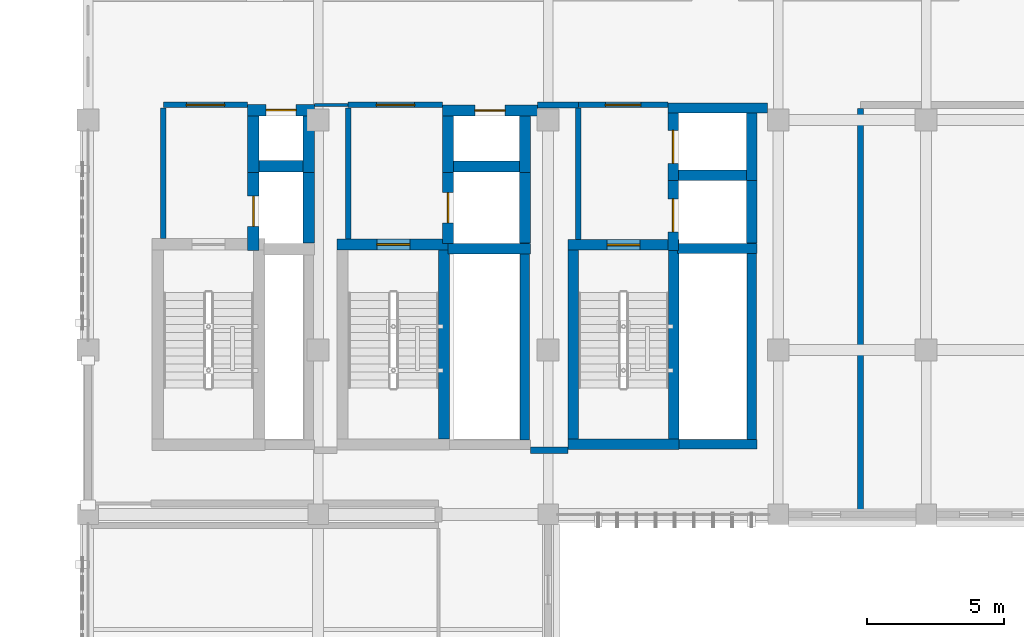
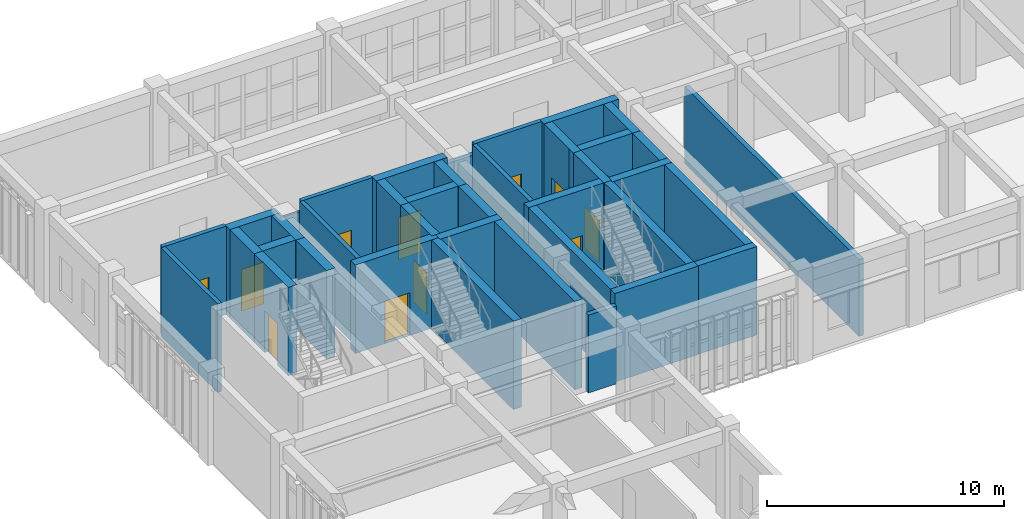
# One storey, part 72 of 76: 39 walls, 11 doors, 11 openings.
"""IFC4 building model written with IfcOpenShell, lengths in metres."""

import ifcopenshell
import ifcopenshell.guid

model = None  # the IFC model being written
_history = None  # IfcOwnerHistory: only IFC2X3 demands one
_inside = {}  # id of a spatial element -> (the spatial element, [elements in it])
_under = {}  # id of a project, library or spatial element -> (it, [spatial elements below it])
_declared = {}  # id of a project -> (the project, [libraries it declares])
_typed = {}  # id of a type object -> (the type object, [elements of that type])
_made_of = {}  # id of a material, layer set ... -> (it, [elements and type objects made of it])


def new_model(schema):
    """Start an empty IFC model of exactly this schema.

    Asked for "IFC4X3", IfcOpenShell would pick the latest addendum, in which some entities
    have other attributes; the version numbers below select the first issue.
    IFC2X3 requires an IfcOwnerHistory on every rooted entity: one is made here for all.
    """
    global model, _history
    if schema == "IFC4X3":
        model = ifcopenshell.file(schema_version=(4, 3, 0, 0))
    else:
        model = ifcopenshell.file(schema=schema)
    _inside.clear()
    _under.clear()
    _declared.clear()
    _typed.clear()
    _made_of.clear()
    _history = None
    if model.schema == "IFC2X3":
        org = make("IfcOrganization", Name="unknown")
        user = make(
            "IfcPersonAndOrganization",
            ThePerson=make("IfcPerson", FamilyName="unknown"),
            TheOrganization=org,
        )
        app = make(
            "IfcApplication",
            ApplicationDeveloper=org,
            Version="unknown",
            ApplicationFullName="unknown",
            ApplicationIdentifier="unknown",
        )
        _history = make(
            "IfcOwnerHistory",
            OwningUser=user,
            OwningApplication=app,
            ChangeAction="ADDED",
            CreationDate=0,
        )
    return model


def make(cls, **values):
    """One entity of the class cls with the attributes given. An attribute that is None is left unset."""
    return model.create_entity(
        cls, **{name: value for name, value in values.items() if value is not None}
    )


def rooted(cls, **values):
    """An entity with a GlobalId (a new one), such as an element, a storey or a relation."""
    return make(cls, GlobalId=ifcopenshell.guid.new(), OwnerHistory=_history, **values)


def si_unit(unit_type, name, prefix=None):
    """IfcSIUnit, for example si_unit("LENGTHUNIT", "METRE", prefix="MILLI")."""
    return make("IfcSIUnit", UnitType=unit_type, Prefix=prefix, Name=name)


def assignment(units):
    """IfcUnitAssignment: the units of a project."""
    return None if units is None else make("IfcUnitAssignment", Units=units)


def point(xyz):
    """IfcCartesianPoint."""
    return None if xyz is None else make("IfcCartesianPoint", Coordinates=xyz)


def direction(xyz):
    """IfcDirection."""
    return None if xyz is None else make("IfcDirection", DirectionRatios=xyz)


def frame(location, z_axis=None, x_axis=None):
    """IfcAxis2Placement3D, a coordinate frame: its origin and axes. An axis left out is left unset."""
    return make(
        "IfcAxis2Placement3D",
        Location=point(location),
        Axis=direction(z_axis),
        RefDirection=direction(x_axis),
    )


def frame_2d(location, x_axis=None):
    """IfcAxis2Placement2D, a coordinate frame in the plane: its origin and x axis."""
    return make(
        "IfcAxis2Placement2D", Location=point(location), RefDirection=direction(x_axis)
    )


def origin():
    """The frame at (0, 0, 0) with its axes left unset."""
    return frame((0.0, 0.0, 0.0))


def place(relative_to, where):
    """IfcLocalPlacement: puts the frame where relative to a parent placement (None: the world)."""
    return make(
        "IfcLocalPlacement", PlacementRelTo=relative_to, RelativePlacement=where
    )


def context(
    kind, dimensions, precision=None, world=None, true_north=None, identifier=None
):
    """IfcGeometricRepresentationContext, for example the 3D "Model" context."""
    return make(
        "IfcGeometricRepresentationContext",
        ContextIdentifier=identifier,
        ContextType=kind,
        CoordinateSpaceDimension=dimensions,
        Precision=precision,
        WorldCoordinateSystem=world,
        TrueNorth=true_north,
    )


def subcontext(parent, identifier, kind, view, scale=None):
    """IfcGeometricRepresentationSubContext, for example "Body" below "Model"."""
    return make(
        "IfcGeometricRepresentationSubContext",
        ContextIdentifier=identifier,
        ContextType=kind,
        ParentContext=parent,
        TargetScale=scale,
        TargetView=view,
    )


def project(units=None, contexts=None):
    """IfcProject with its units and contexts."""
    return rooted(
        "IfcProject",
        Name="project",
        RepresentationContexts=contexts,
        UnitsInContext=assignment(units),
    )


def spatial(cls, under=None, at=None, **own):
    """A site, building, storey or space (cls), placed at a placement, below another one or the project."""
    s = rooted(cls, ObjectPlacement=at, **own)
    if under is not None:
        _under.setdefault(under.id(), (under, []))[1].append(s)
    return s


def profile(cls, at=None, kind="AREA", **sizes):
    """A parametric profile (cls). Its sizes go by their IFC names, for example OverallWidth=200.0."""
    return make(cls, ProfileType=kind, Position=at, **sizes)


def rectangle(**sizes):
    """IfcRectangleProfileDef."""
    return profile("IfcRectangleProfileDef", **sizes)


def extrude(swept, where, along, depth):
    """IfcExtrudedAreaSolid: the profile swept, set in the frame where, extruded along a direction by depth."""
    return make(
        "IfcExtrudedAreaSolid",
        SweptArea=swept,
        Position=where,
        ExtrudedDirection=direction(along),
        Depth=depth,
    )


def shape(context_of_items, identifier, shape_type, items):
    """IfcShapeRepresentation: the items that make up one representation, for example the "Body"."""
    return make(
        "IfcShapeRepresentation",
        ContextOfItems=context_of_items,
        RepresentationIdentifier=identifier,
        RepresentationType=shape_type,
        Items=items,
    )


def material(Name=None, Category=None):
    """IfcMaterial."""
    return make("IfcMaterial", Name=Name, Category=Category)


def layer(
    of_material, thickness, ventilated=None, Name=None, Category=None, Priority=None
):
    """IfcMaterialLayer: one layer of a wall or slab, of a material (None: an air gap)."""
    return make(
        "IfcMaterialLayer",
        Material=of_material,
        LayerThickness=thickness,
        IsVentilated=ventilated,
        Name=Name,
        Category=Category,
        Priority=Priority,
    )


def layer_set(layers, Name=None):
    """IfcMaterialLayerSet."""
    return make("IfcMaterialLayerSet", MaterialLayers=layers, LayerSetName=Name)


def made_of(thing, what):
    """Note that an element or type object is made of a material, layer set ...; save() writes the relation."""
    if what is not None:
        _made_of.setdefault(what.id(), (what, []))[1].append(thing)
    return thing


def type_object(cls, material=None, **own):
    """A type object (cls), such as IfcWallType, which elements share."""
    return made_of(rooted(cls, **own), material)


def element(
    cls,
    number,
    at=None,
    inside=None,
    cuts=None,
    type_object=None,
    material=None,
    context=None,
    identifier="Body",
    shape_type=None,
    held_by="IfcProductDefinitionShape",
    body=None,
    shapes=None,
    **own,
):
    """One element of the class cls, such as IfcWall. Its Tag is "e" and its number.

    at: its placement. inside: the storey or other place that contains it. cuts: it is an
    opening in that element (IfcRelVoidsElement). A single representation is given by context,
    identifier, shape_type and body (its items); several are given by shapes. held_by: the class
    of the entity that holds the representations. save() writes the other relations.
    """
    e = rooted(cls, Tag="e%d" % number, ObjectPlacement=at, **own)
    if body is not None:
        shapes = [shape(context, identifier, shape_type, body)]
    if shapes is not None:
        e.Representation = make(held_by, Representations=shapes)
    if inside is not None:
        _inside.setdefault(inside.id(), (inside, []))[1].append(e)
    if cuts is not None:
        rooted(
            "IfcRelVoidsElement", RelatingBuildingElement=cuts, RelatedOpeningElement=e
        )
    if type_object is not None:
        _typed.setdefault(type_object.id(), (type_object, []))[1].append(e)
    return made_of(e, material)


def fill(opening, filler):
    """IfcRelFillsElement: the door or window that sits in an opening."""
    return rooted(
        "IfcRelFillsElement",
        RelatingOpeningElement=opening,
        RelatedBuildingElement=filler,
    )


def aggregate(whole, parts):
    """IfcRelAggregates: a whole, such as a stair, and the parts it consists of."""
    return rooted("IfcRelAggregates", RelatingObject=whole, RelatedObjects=parts)


def save(model, path):
    """Write the relations noted so far, then the file.

    IfcRelAggregates (storeys below a building ...), IfcRelContainedInSpatialStructure (elements
    in a storey), IfcRelDefinesByType, IfcRelAssociatesMaterial and IfcRelDeclares: one each for
    every whole, place, type object, material and project.
    """
    for whole, parts in _under.values():
        aggregate(whole, parts)
    for where, things in _inside.values():
        rooted(
            "IfcRelContainedInSpatialStructure",
            RelatedElements=things,
            RelatingStructure=where,
        )
    for kind, things in _typed.values():
        rooted("IfcRelDefinesByType", RelatedObjects=things, RelatingType=kind)
    for what, things in _made_of.values():
        rooted("IfcRelAssociatesMaterial", RelatedObjects=things, RelatingMaterial=what)
    for by, libraries in _declared.values():
        rooted("IfcRelDeclares", RelatingContext=by, RelatedDefinitions=libraries)
    model.write(path)


model = new_model("IFC4")

# Units and contexts
model_context = context("Model", 3, precision=1e-05, world=origin(), true_north=direction((0.0, 1.0)))
body_context = subcontext(model_context, "Body", "Model", "MODEL_VIEW")
ifc_project = project(units=[si_unit("LENGTHUNIT", "METRE"), si_unit("AREAUNIT", "SQUARE_METRE"), si_unit("VOLUMEUNIT", "CUBIC_METRE"), si_unit("PLANEANGLEUNIT", "RADIAN"), si_unit("MASSUNIT", "GRAM", prefix="KILO")], contexts=[model_context])

# Site, building, storey
site_placement = place(None, origin())
site = spatial("IfcSite", under=ifc_project, at=site_placement, CompositionType="ELEMENT")
building_placement = place(site_placement, origin())
building = spatial("IfcBuilding", under=site, at=building_placement, Name="Krzemoval Escarpment Law Courts", CompositionType="ELEMENT")
storey_placement = place(building_placement, frame((0.0, 0.0, 20.39990234375)))
storey = spatial("IfcBuildingStorey", under=building, at=storey_placement, Name="L04", CompositionType="ELEMENT", Elevation=20.39990234375)

# Wall
ifc_material_1 = material(Name="Light Internal Subdivision Partition", Category="gypsum")
ifc_layer_1 = layer(ifc_material_1, 0.114990234375)
ifc_layer_set_1 = layer_set([ifc_layer_1], Name="Light Internal Subdivision Partition")
wall_type_1 = type_object("IfcWallType", Name="WL-PRT-115", PredefinedType="PARTITIONING", material=ifc_layer_set_1)
wall_1_placement = place(storey_placement, frame((134.27001953125, 108.550048828125, 0.0), z_axis=(0.0, 0.0, 1.0), x_axis=(1.0, 0.0, 0.0)))
element("IfcWall", 1, at=wall_1_placement, inside=storey, type_object=wall_type_1, Name="Interior Partition PW-L04-0607", PredefinedType="PARTITIONING", context=body_context, shape_type="SweptSolid", body=[
    extrude(rectangle(XDim=1.22998046875, YDim=0.114990234375, at=frame_2d((0.614990234375, 0.0))), origin(), (0.0, 0.0, 1.0), 4.0),
])

# Wall, opening, door
ifc_material_2 = material(Name="Fire-Rated Corridor Partition Wall", Category="gypsum")
ifc_layer_2 = layer(ifc_material_2, 0.199951171875)
ifc_layer_set_2 = layer_set([ifc_layer_2], Name="Fire-Rated Corridor Partition Wall")
wall_type_2 = type_object("IfcWallType", Name="WL-PRT-200", PredefinedType="PARTITIONING", material=ifc_layer_set_2)
wall_2_placement = place(storey_placement, frame((128.75, 108.550048828125, 0.0), z_axis=(0.0, 0.0, 1.0), x_axis=(1.0, 0.0, 0.0)))
wall_2 = element("IfcWall", 2, at=wall_2_placement, inside=storey, type_object=wall_type_2, Name="Interior Partition PW-L04-0604", PredefinedType="PARTITIONING", context=body_context, shape_type="SweptSolid", body=[
    extrude(rectangle(XDim=3.080078125, YDim=0.199951171875, at=frame_2d((1.5400390625, 0.0))), origin(), (0.0, 0.0, 1.0), 4.550048828125),
])
opening_1_placement = place(wall_2_placement, frame((0.840087890625, 0.0, 0.0)))
opening_1 = element("IfcOpeningElement", 3, at=opening_1_placement, cuts=wall_2, Name="Opening D-L04-0200", PredefinedType="OPENING", context=body_context, shape_type="SweptSolid", body=[
    extrude(rectangle(XDim=1.39990234375, YDim=2.199951171875, at=frame_2d((0.699951171875, 1.10009765625))), frame((0.0, 0.11498, 0.0), z_axis=(0.0, -1.0, 0.0), x_axis=(1.0, 0.0, 0.0)), (0.0, 0.0, 1.0), 0.22995),
])
ifc_material_3 = material(Name="Galvanised Steel S355", Category="steel")
door_type_1 = type_object("IfcDoorType", Name="DR-FFL-1400x2200", OperationType="SINGLE_SWING_LEFT", PredefinedType="DOOR", material=ifc_material_3)
door_1_placement = place(opening_1_placement, origin())
door_1 = element("IfcDoor", 4, at=door_1_placement, inside=storey, type_object=door_type_1, Name="Room Door D-L04-0200", OperationType="SINGLE_SWING_LEFT", OverallHeight=2.199951171875, OverallWidth=1.39990234375, PredefinedType="DOOR", context=body_context, shape_type="SweptSolid", body=[
    extrude(rectangle(XDim=1.39990234375, YDim=2.199951171875, at=frame_2d((0.699951171875, 1.10009765625))), frame((0.0, 0.02490234375, 0.0), z_axis=(0.0, -1.0, 0.0), x_axis=(1.0, 0.0, 0.0)), (0.0, 0.0, 1.0), 0.050048828125),
])
fill(opening_1, door_1)

wall_3_placement = place(storey_placement, frame((135.5, 108.550048828125, 0.0), z_axis=(0.0, 0.0, 1.0), x_axis=(1.0, 0.0, 0.0)))
wall_3 = element("IfcWall", 5, at=wall_3_placement, inside=storey, type_object=wall_type_2, Name="Interior Partition PW-L04-0605", PredefinedType="PARTITIONING", context=body_context, shape_type="SweptSolid", body=[
    extrude(rectangle(XDim=3.449951171875, YDim=0.199951171875, at=frame_2d((1.72509765625, 0.0))), origin(), (0.0, 0.0, 1.0), 4.550048828125),
])
opening_2_placement = place(wall_3_placement, frame((1.02490234375, 0.0, 0.0)))
opening_2 = element("IfcOpeningElement", 6, at=opening_2_placement, cuts=wall_3, Name="Opening D-L04-0201", PredefinedType="OPENING", context=body_context, shape_type="SweptSolid", body=[
    extrude(rectangle(XDim=1.39990234375, YDim=2.199951171875, at=frame_2d((0.699951171875, 1.10009765625))), frame((0.0, 0.11498, 0.0), z_axis=(0.0, -1.0, 0.0), x_axis=(1.0, 0.0, 0.0)), (0.0, 0.0, 1.0), 0.22995),
])
door_2_placement = place(opening_2_placement, origin())
door_2 = element("IfcDoor", 7, at=door_2_placement, inside=storey, type_object=door_type_1, Name="Room Door D-L04-0201", OperationType="SINGLE_SWING_LEFT", OverallHeight=2.199951171875, OverallWidth=1.39990234375, PredefinedType="DOOR", context=body_context, shape_type="SweptSolid", body=[
    extrude(rectangle(XDim=1.39990234375, YDim=2.199951171875, at=frame_2d((0.699951171875, 1.10009765625))), frame((0.0, 0.02490234375, 0.0), z_axis=(0.0, -1.0, 0.0), x_axis=(1.0, 0.0, 0.0)), (0.0, 0.0, 1.0), 0.050048828125),
])
fill(opening_2, door_2)

wall_4_placement = place(storey_placement, frame((143.89990234375, 108.550048828125, 0.0), z_axis=(0.0, 0.0, 1.0), x_axis=(1.0, 0.0, 0.0)))
wall_4 = element("IfcWall", 8, at=wall_4_placement, inside=storey, type_object=wall_type_2, Name="Interior Partition PW-L04-0606", PredefinedType="PARTITIONING", context=body_context, shape_type="SweptSolid", body=[
    extrude(rectangle(XDim=3.27001953125, YDim=0.199951171875, at=frame_2d((1.635009765625, 0.0))), origin(), (0.0, 0.0, 1.0), 4.550048828125),
])
opening_3_placement = place(wall_4_placement, frame((0.985107421875, 0.0, 0.0)))
opening_3 = element("IfcOpeningElement", 9, at=opening_3_placement, cuts=wall_4, Name="Opening D-L04-0202", PredefinedType="OPENING", context=body_context, shape_type="SweptSolid", body=[
    extrude(rectangle(XDim=1.300048828125, YDim=2.199951171875, at=frame_2d((0.64990234375, 1.10009765625))), frame((0.0, 0.11498, 0.0), z_axis=(0.0, -1.0, 0.0), x_axis=(1.0, 0.0, 0.0)), (0.0, 0.0, 1.0), 0.22995),
])
ifc_material_4 = material(Name="Galvanised Steel S355", Category="steel")
door_type_2 = type_object("IfcDoorType", Name="DR-STR-1300x2200", OperationType="SINGLE_SWING_LEFT", PredefinedType="DOOR", material=ifc_material_4)
door_3_placement = place(opening_3_placement, origin())
door_3 = element("IfcDoor", 10, at=door_3_placement, inside=storey, type_object=door_type_2, Name="Room Door D-L04-0202", OperationType="SINGLE_SWING_RIGHT", OverallHeight=2.199951171875, OverallWidth=1.300048828125, PredefinedType="DOOR", context=body_context, shape_type="SweptSolid", body=[
    extrude(rectangle(XDim=1.300048828125, YDim=2.199951171875, at=frame_2d((0.64990234375, 1.10009765625))), frame((0.0, 0.02490234375, 0.0), z_axis=(0.0, -1.0, 0.0), x_axis=(1.0, 0.0, 0.0)), (0.0, 0.0, 1.0), 0.050048828125),
])
fill(opening_3, door_3)

# Walls
wall_5_placement = place(storey_placement, frame((128.75, 103.672119140625, 0.0), z_axis=(0.0, 0.0, 1.0), x_axis=(0.0, 1.0, 0.0)))
element("IfcWall", 11, at=wall_5_placement, inside=storey, type_object=wall_type_2, Name="Interior Partition PW-L04-0629", PredefinedType="PARTITIONING", context=body_context, shape_type="SweptSolid", body=[
    extrude(rectangle(XDim=4.77587890625, YDim=0.199951171875, at=frame_2d((2.387939453125, 0.0))), origin(), (0.0, 0.0, 1.0), 4.550048828125),
])
wall_6_placement = place(storey_placement, frame((135.5, 103.652099609375, 0.0), z_axis=(0.0, 0.0, 1.0), x_axis=(0.0, 1.0, 0.0)))
element("IfcWall", 12, at=wall_6_placement, inside=storey, type_object=wall_type_2, Name="Interior Partition PW-L04-0630", PredefinedType="PARTITIONING", context=body_context, shape_type="SweptSolid", body=[
    extrude(rectangle(XDim=4.7958984375, YDim=0.199951171875, at=frame_2d((2.39794921875, 0.0))), origin(), (0.0, 0.0, 1.0), 4.550048828125),
])
wall_7_placement = place(storey_placement, frame((143.89990234375, 103.632080078125, 0.0), z_axis=(0.0, 0.0, 1.0), x_axis=(0.0, 1.0, 0.0)))
element("IfcWall", 13, at=wall_7_placement, inside=storey, type_object=wall_type_2, Name="Interior Partition PW-L04-0634", PredefinedType="PARTITIONING", context=body_context, shape_type="SweptSolid", body=[
    extrude(rectangle(XDim=4.801025390625, YDim=0.199951171875, at=frame_2d((2.400390625, 0.0))), origin(), (0.0, 0.0, 1.0), 4.550048828125),
])
ifc_material_5 = material(Name="Solid Calcium-Silicate Custody Blockwork Partition", Category="masonry")
ifc_layer_3 = layer(ifc_material_5, 0.219970703125)
ifc_layer_set_3 = layer_set([ifc_layer_3], Name="Solid Calcium-Silicate Custody Blockwork Partition")
wall_type_3 = type_object("IfcWallType", Name="WL-PRT-220", PredefinedType="PARTITIONING", material=ifc_layer_set_3)
wall_8_placement = place(storey_placement, frame((154.199951171875, 93.73193359375, 0.0), z_axis=(0.0, 0.0, 1.0), x_axis=(0.0, 1.0, 0.0)))
element("IfcWall", 14, at=wall_8_placement, inside=storey, type_object=wall_type_3, Name="Interior Partition PW-L04-0635", PredefinedType="PARTITIONING", context=body_context, shape_type="SweptSolid", body=[
    extrude(rectangle(XDim=14.68603515625, YDim=0.219970703125, at=frame_2d((7.343017578125, 0.0))), origin(), (0.0, 0.0, 1.0), 3.9501953125),
])
ifc_material_6 = material(Name="Acoustic Calcium-Silicate Block Wall", Category="masonry")
ifc_layer_4 = layer(ifc_material_6, 0.22998046875)
ifc_layer_set_4 = layer_set([ifc_layer_4], Name="Acoustic Calcium-Silicate Block Wall")
wall_type_4 = type_object("IfcWallType", Name="WL-PRT-230", PredefinedType="SOLIDWALL", material=ifc_layer_set_4)
wall_9_placement = place(storey_placement, frame((142.405029296875, 108.550048828125, 0.0), z_axis=(0.0, 0.0, 1.0), x_axis=(1.0, 0.0, 0.0)))
element("IfcWall", 15, at=wall_9_placement, inside=storey, type_object=wall_type_4, Name="Interior Partition PW-L04-0608", PredefinedType="SOLIDWALL", context=body_context, shape_type="SweptSolid", body=[
    extrude(rectangle(XDim=1.494873046875, YDim=0.22998046875, at=frame_2d((0.74755859375, 0.0))), origin(), (0.0, 0.0, 1.0), 4.0),
])
ifc_material_7 = material(Name="Acoustic Courtroom Partition Assembly", Category="gypsum")
ifc_layer_5 = layer(ifc_material_7, 0.239990234375)
ifc_layer_set_5 = layer_set([ifc_layer_5], Name="Acoustic Courtroom Partition Assembly")
wall_type_5 = type_object("IfcWallType", Name="WL-PRT-240", PredefinedType="PARTITIONING", material=ifc_layer_set_5)
wall_10_placement = place(storey_placement, frame((142.14990234375, 95.949951171875, 0.0), z_axis=(0.0, 0.0, 1.0), x_axis=(1.0, 0.0, 0.0)))
element("IfcWall", 16, at=wall_10_placement, inside=storey, type_object=wall_type_5, Name="Interior Partition PW-L04-0603", PredefinedType="PARTITIONING", context=body_context, shape_type="SweptSolid", body=[
    extrude(rectangle(XDim=1.3701171875, YDim=0.239990234375, at=frame_2d((0.68505859375, 0.0))), origin(), (0.0, 0.0, 1.0), 4.0),
])
ifc_material_8 = material(Name="Concrete C40/50", Category="concrete")
ifc_layer_6 = layer(ifc_material_8, 0.35009765625)
ifc_layer_set_6 = layer_set([ifc_layer_6], Name="Concrete C40/50")
wall_type_6 = type_object("IfcWallType", Name="WL-SHW-350", PredefinedType="SHEAR", material=ifc_layer_set_6)
wall_11_placement = place(storey_placement, frame((141.949951171875, 96.320068359375, 0.0), z_axis=(0.0, 0.0, 1.0), x_axis=(0.0, 1.0, 0.0)))
element("IfcWall", 17, at=wall_11_placement, inside=storey, type_object=wall_type_6, Name="Riser Shaft Wall SW-L04-0228", PredefinedType="SHEAR", context=body_context, shape_type="SweptSolid", body=[
    extrude(rectangle(XDim=7.18701171875, YDim=0.35009765625, at=frame_2d((3.593505859375, 0.0))), origin(), (0.0, 0.0, 1.0), 4.550048828125),
])
wall_12_placement = place(storey_placement, frame((147.580078125, 96.159912109375, 0.0), z_axis=(0.0, 0.0, 1.0), x_axis=(1.0, 0.0, 0.0)))
element("IfcWall", 18, at=wall_12_placement, inside=storey, type_object=wall_type_6, Name="Riser Shaft Wall SW-L04-0377", PredefinedType="SHEAR", context=body_context, shape_type="SweptSolid", body=[
    extrude(rectangle(XDim=2.849853515625, YDim=0.35009765625, at=frame_2d((1.4248046875, 0.0))), origin(), (0.0, 0.0, 1.0), 4.550048828125),
])
wall_13_placement = place(storey_placement, frame((150.239990234375, 96.330078125, 0.0), z_axis=(0.0, 0.0, 1.0), x_axis=(0.0, 1.0, 0.0)))
element("IfcWall", 19, at=wall_13_placement, inside=storey, type_object=wall_type_6, Name="Riser Shaft Wall SW-L04-0378", PredefinedType="SHEAR", context=body_context, shape_type="SweptSolid", body=[
    extrude(rectangle(XDim=7.177001953125, YDim=0.35009765625, at=frame_2d((3.58837890625, 0.0))), origin(), (0.0, 0.0, 1.0), 4.550048828125),
])

# Wall, opening, door
ifc_material_9 = material(Name="Concrete C40/50", Category="concrete")
ifc_layer_7 = layer(ifc_material_9, 0.3798828125)
ifc_layer_set_7 = layer_set([ifc_layer_7], Name="Concrete C40/50")
wall_type_7 = type_object("IfcWallType", Name="WL-SHW-380", PredefinedType="SHEAR", material=ifc_layer_set_7)
wall_14_placement = place(storey_placement, frame((143.52001953125, 103.43994140625, 0.0), z_axis=(0.0, 0.0, 1.0), x_axis=(1.0, 0.0, 0.0)))
wall_14 = element("IfcWall", 20, at=wall_14_placement, inside=storey, type_object=wall_type_7, Name="Core Stair Shear Wall SW-L04-0366", PredefinedType="SHEAR", context=body_context, shape_type="SweptSolid", body=[
    extrude(rectangle(XDim=4.06005859375, YDim=0.3798828125, at=frame_2d((2.030029296875, 0.0))), origin(), (0.0, 0.0, 1.0), 4.550048828125),
])
opening_4_placement = place(wall_14_placement, frame((1.429931640625, 0.0, 0.0)))
opening_4 = element("IfcOpeningElement", 21, at=opening_4_placement, cuts=wall_14, Name="Opening SD-ST3-L04", PredefinedType="OPENING", context=body_context, shape_type="SweptSolid", body=[
    extrude(rectangle(XDim=1.199951171875, YDim=2.199951171875, at=frame_2d((0.60009765625, 1.10009765625))), frame((0.0, 0.20494, 0.0), z_axis=(0.0, -1.0, 0.0), x_axis=(1.0, 0.0, 0.0)), (0.0, 0.0, 1.0), 0.40988),
])
ifc_material_10 = material(Name="Galvanised Steel S355", Category="steel")
door_type_3 = type_object("IfcDoorType", Name="DR-STR-1200x2200", OperationType="SINGLE_SWING_LEFT", PredefinedType="DOOR", material=ifc_material_10)
door_4_placement = place(opening_4_placement, origin())
door_4 = element("IfcDoor", 22, at=door_4_placement, inside=storey, type_object=door_type_3, Name="Stair Exit Door SD-ST3-L04", OperationType="SINGLE_SWING_LEFT", OverallHeight=2.199951171875, OverallWidth=1.199951171875, PredefinedType="DOOR", context=body_context, shape_type="SweptSolid", body=[
    extrude(rectangle(XDim=1.199951171875, YDim=2.199951171875, at=frame_2d((0.60009765625, 1.10009765625))), frame((0.0, 0.02490234375, 0.0), z_axis=(0.0, -1.0, 0.0), x_axis=(1.0, 0.0, 0.0)), (0.0, 0.0, 1.0), 0.050048828125),
])
fill(opening_4, door_4)

# Walls
wall_15_placement = place(storey_placement, frame((143.52001953125, 96.159912109375, 0.0), z_axis=(0.0, 0.0, 1.0), x_axis=(1.0, 0.0, 0.0)))
element("IfcWall", 23, at=wall_15_placement, inside=storey, type_object=wall_type_7, Name="Core Stair Shear Wall SW-L04-0367", PredefinedType="SHEAR", context=body_context, shape_type="SweptSolid", body=[
    extrude(rectangle(XDim=4.06005859375, YDim=0.3798828125, at=frame_2d((2.030029296875, 0.0))), origin(), (0.0, 0.0, 1.0), 4.550048828125),
])
for number, where, z_axis, x_axis, name in (
    (24, (143.7099609375, 96.35205078125, 0.0), (0.0, 0.0, 1.0), (0.0, 1.0, 0.0), "Core Stair Shear Wall SW-L04-0368"),
    (25, (147.389892578125, 96.35205078125, 0.0), (0.0, 0.0, 1.0), (0.0, 1.0, 0.0), "Core Stair Shear Wall SW-L04-0369"),
):
    element("IfcWall", number, at=place(storey_placement, frame(where, z_axis=z_axis, x_axis=x_axis)), inside=storey, type_object=wall_type_7, Name=name, PredefinedType="SHEAR", context=body_context, shape_type="SweptSolid", body=[
        extrude(rectangle(XDim=6.89599609375, YDim=0.3798828125, at=frame_2d((3.447998046875, 0.0))), origin(), (0.0, 0.0, 1.0), 4.550048828125),
    ])
wall_16_placement = place(storey_placement, frame((147.512939453125, 103.31005859375, 0.0), z_axis=(0.0, 0.0, 1.0), x_axis=(1.0, 0.0, 0.0)))
element("IfcWall", 26, at=wall_16_placement, inside=storey, type_object=wall_type_7, Name="Lift Shaft Shear Wall SW-L04-0370", PredefinedType="SHEAR", context=body_context, shape_type="SweptSolid", body=[
    extrude(rectangle(XDim=2.9169921875, YDim=0.3798828125, at=frame_2d((1.45849609375, 0.0))), origin(), (0.0, 0.0, 1.0), 4.550048828125),
])
wall_17_placement = place(storey_placement, frame((147.169921875, 105.989990234375, 0.0), z_axis=(0.0, 0.0, 1.0), x_axis=(1.0, 0.0, 0.0)))
element("IfcWall", 27, at=wall_17_placement, inside=storey, type_object=wall_type_7, Name="Lift Shaft Shear Wall SW-L04-0371", PredefinedType="SHEAR", context=body_context, shape_type="SweptSolid", body=[
    extrude(rectangle(XDim=3.260009765625, YDim=0.3798828125, at=frame_2d((1.6298828125, 0.0))), origin(), (0.0, 0.0, 1.0), 4.550048828125),
])

# Wall, opening, door
wall_18_placement = place(storey_placement, frame((147.360107421875, 103.242919921875, 0.0), z_axis=(0.0, 0.0, 1.0), x_axis=(0.0, 1.0, 0.0)))
wall_18 = element("IfcWall", 28, at=wall_18_placement, inside=storey, type_object=wall_type_7, Name="Lift Shaft Shear Wall SW-L04-0372", PredefinedType="SHEAR", context=body_context, shape_type="SweptSolid", body=[
    extrude(rectangle(XDim=2.55517578125, YDim=0.3798828125, at=frame_2d((1.277587890625, 0.0))), origin(), (0.0, 0.0, 1.0), 4.550048828125),
])
opening_5_placement = place(wall_18_placement, frame((0.677978515625, 0.0, 0.0)))
opening_5 = element("IfcOpeningElement", 29, at=opening_5_placement, cuts=wall_18, Name="Opening LD-PL1-L04", PredefinedType="OPENING", context=body_context, shape_type="SweptSolid", body=[
    extrude(rectangle(XDim=1.199951171875, YDim=2.14990234375, at=frame_2d((0.60009765625, 1.074951171875))), frame((0.0, 0.20494, 0.0), z_axis=(0.0, -1.0, 0.0), x_axis=(1.0, 0.0, 0.0)), (0.0, 0.0, 1.0), 0.40988),
])
ifc_material_11 = material(Name="Engineered Solid-Core Oak Acoustic Timber", Category="wood")
door_type_4 = type_object("IfcDoorType", Name="DR-LFT-1200x2150", OperationType="SINGLE_SWING_LEFT", PredefinedType="DOOR", material=ifc_material_11)
door_5_placement = place(opening_5_placement, origin())
door_5 = element("IfcDoor", 30, at=door_5_placement, inside=storey, type_object=door_type_4, Name="Lift Landing Door LD-PL1-L04", OperationType="DOUBLE_DOOR_SLIDING", OverallHeight=2.14990234375, OverallWidth=1.199951171875, PredefinedType="DOOR", context=body_context, shape_type="SweptSolid", body=[
    extrude(rectangle(XDim=1.199951171875, YDim=2.14990234375, at=frame_2d((0.60009765625, 1.074951171875))), frame((0.0, 0.02490234375, 0.0), z_axis=(0.0, -1.0, 0.0), x_axis=(1.0, 0.0, 0.0)), (0.0, 0.0, 1.0), 0.050048828125),
])
fill(opening_5, door_5)

# Walls
wall_19_placement = place(storey_placement, frame((150.239990234375, 103.501953125, 0.0), z_axis=(0.0, 0.0, 1.0), x_axis=(0.0, 1.0, 0.0)))
element("IfcWall", 31, at=wall_19_placement, inside=storey, type_object=wall_type_7, Name="Lift Shaft Shear Wall SW-L04-0373", PredefinedType="SHEAR", context=body_context, shape_type="SweptSolid", body=[
    extrude(rectangle(XDim=2.296142578125, YDim=0.3798828125, at=frame_2d((1.14794921875, 0.0))), origin(), (0.0, 0.0, 1.0), 4.550048828125),
])
wall_20_placement = place(storey_placement, frame((147.169921875, 108.43994140625, 0.0), z_axis=(0.0, 0.0, 1.0), x_axis=(1.0, 0.0, 0.0)))
element("IfcWall", 32, at=wall_20_placement, inside=storey, type_object=wall_type_7, Name="Lift Shaft Shear Wall SW-L04-0374", PredefinedType="SHEAR", context=body_context, shape_type="SweptSolid", body=[
    extrude(rectangle(XDim=3.636962890625, YDim=0.3798828125, at=frame_2d((1.818359375, 0.0))), origin(), (0.0, 0.0, 1.0), 4.550048828125),
])

# Wall, opening, door
wall_21_placement = place(storey_placement, frame((147.360107421875, 105.79296875, 0.0), z_axis=(0.0, 0.0, 1.0), x_axis=(0.0, 1.0, 0.0)))
wall_21 = element("IfcWall", 33, at=wall_21_placement, inside=storey, type_object=wall_type_7, Name="Lift Shaft Shear Wall SW-L04-0375", PredefinedType="SHEAR", context=body_context, shape_type="SweptSolid", body=[
    extrude(rectangle(XDim=2.455078125, YDim=0.3798828125, at=frame_2d((1.2275390625, 0.0))), origin(), (0.0, 0.0, 1.0), 4.550048828125),
])
opening_6_placement = place(wall_21_placement, frame((0.626953125, 0.0, 0.0)))
opening_6 = element("IfcOpeningElement", 34, at=opening_6_placement, cuts=wall_21, Name="Opening LD-PL2-L04", PredefinedType="OPENING", context=body_context, shape_type="SweptSolid", body=[
    extrude(rectangle(XDim=1.199951171875, YDim=2.14990234375, at=frame_2d((0.60009765625, 1.074951171875))), frame((0.0, 0.20494, 0.0), z_axis=(0.0, -1.0, 0.0), x_axis=(1.0, 0.0, 0.0)), (0.0, 0.0, 1.0), 0.40988),
])
door_6_placement = place(opening_6_placement, origin())
door_6 = element("IfcDoor", 35, at=door_6_placement, inside=storey, type_object=door_type_4, Name="Lift Landing Door LD-PL2-L04", OperationType="DOUBLE_DOOR_SLIDING", OverallHeight=2.14990234375, OverallWidth=1.199951171875, PredefinedType="DOOR", context=body_context, shape_type="SweptSolid", body=[
    extrude(rectangle(XDim=1.199951171875, YDim=2.14990234375, at=frame_2d((0.60009765625, 1.074951171875))), frame((0.0, 0.02490234375, 0.0), z_axis=(0.0, -1.0, 0.0), x_axis=(1.0, 0.0, 0.0)), (0.0, 0.0, 1.0), 0.050048828125),
])
fill(opening_6, door_6)

# Wall
wall_22_placement = place(storey_placement, frame((150.239990234375, 105.79296875, 0.0), z_axis=(0.0, 0.0, 1.0), x_axis=(0.0, 1.0, 0.0)))
element("IfcWall", 36, at=wall_22_placement, inside=storey, type_object=wall_type_7, Name="Lift Shaft Shear Wall SW-L04-0376", PredefinedType="SHEAR", context=body_context, shape_type="SweptSolid", body=[
    extrude(rectangle(XDim=2.455078125, YDim=0.3798828125, at=frame_2d((1.2275390625, 0.0))), origin(), (0.0, 0.0, 1.0), 4.550048828125),
])

# Wall, opening, door
ifc_material_12 = material(Name="Concrete C40/50", Category="concrete")
ifc_layer_8 = layer(ifc_material_12, 0.39990234375)
ifc_layer_set_8 = layer_set([ifc_layer_8], Name="Concrete C40/50")
wall_type_8 = type_object("IfcWallType", Name="WL-SHW-400", PredefinedType="SHEAR", material=ifc_layer_set_8)
wall_23_placement = place(storey_placement, frame((135.10009765625, 103.449951171875, 0.0), z_axis=(0.0, 0.0, 1.0), x_axis=(1.0, 0.0, 0.0)))
wall_23 = element("IfcWall", 37, at=wall_23_placement, inside=storey, type_object=wall_type_8, Name="Core Stair Shear Wall SW-L04-0216", PredefinedType="SHEAR", context=body_context, shape_type="SweptSolid", body=[
    extrude(rectangle(XDim=4.099853515625, YDim=0.39990234375, at=frame_2d((2.0498046875, 0.0))), origin(), (0.0, 0.0, 1.0), 4.550048828125),
])
opening_7_placement = place(wall_23_placement, frame((1.449951171875, 0.0, 0.0)))
opening_7 = element("IfcOpeningElement", 38, at=opening_7_placement, cuts=wall_23, Name="Opening SD-ST2-L04", PredefinedType="OPENING", context=body_context, shape_type="SweptSolid", body=[
    extrude(rectangle(XDim=1.199951171875, YDim=2.199951171875, at=frame_2d((0.60009765625, 1.10009765625))), frame((0.0, 0.21495, 0.0), z_axis=(0.0, -1.0, 0.0), x_axis=(1.0, 0.0, 0.0)), (0.0, 0.0, 1.0), 0.4299),
])
door_7_placement = place(opening_7_placement, origin())
door_7 = element("IfcDoor", 39, at=door_7_placement, inside=storey, type_object=door_type_3, Name="Stair Exit Door SD-ST2-L04", OperationType="SINGLE_SWING_RIGHT", OverallHeight=2.199951171875, OverallWidth=1.199951171875, PredefinedType="DOOR", context=body_context, shape_type="SweptSolid", body=[
    extrude(rectangle(XDim=1.199951171875, YDim=2.199951171875, at=frame_2d((0.60009765625, 1.10009765625))), frame((0.0, 0.02490234375, 0.0), z_axis=(0.0, -1.0, 0.0), x_axis=(1.0, 0.0, 0.0)), (0.0, 0.0, 1.0), 0.050048828125),
])
fill(opening_7, door_7)

# Walls
wall_24_placement = place(storey_placement, frame((139.0, 96.35205078125, 0.0), z_axis=(0.0, 0.0, 1.0), x_axis=(0.0, 1.0, 0.0)))
element("IfcWall", 40, at=wall_24_placement, inside=storey, type_object=wall_type_8, Name="Core Stair Shear Wall SW-L04-0219", PredefinedType="SHEAR", context=body_context, shape_type="SweptSolid", body=[
    extrude(rectangle(XDim=6.89599609375, YDim=0.39990234375, at=frame_2d((3.447998046875, 0.0))), origin(), (0.0, 0.0, 1.0), 4.550048828125),
])
wall_25_placement = place(storey_placement, frame((139.14306640625, 103.300048828125, 0.0), z_axis=(0.0, 0.0, 1.0), x_axis=(1.0, 0.0, 0.0)))
element("IfcWall", 41, at=wall_25_placement, inside=storey, type_object=wall_type_8, Name="Lift Shaft Shear Wall SW-L04-0220", PredefinedType="SHEAR", context=body_context, shape_type="SweptSolid", body=[
    extrude(rectangle(XDim=3.0068359375, YDim=0.39990234375, at=frame_2d((1.50341796875, 0.0))), origin(), (0.0, 0.0, 1.0), 4.550048828125),
])
wall_26_placement = place(storey_placement, frame((138.949951171875, 106.300048828125, 0.0), z_axis=(0.0, 0.0, 1.0), x_axis=(1.0, 0.0, 0.0)))
element("IfcWall", 42, at=wall_26_placement, inside=storey, type_object=wall_type_8, Name="Lift Shaft Shear Wall SW-L04-0221", PredefinedType="SHEAR", context=body_context, shape_type="SweptSolid", body=[
    extrude(rectangle(XDim=3.199951171875, YDim=0.39990234375, at=frame_2d((1.60009765625, 0.0))), origin(), (0.0, 0.0, 1.0), 4.550048828125),
])

# Wall, opening, door
wall_27_placement = place(storey_placement, frame((139.14990234375, 103.4951171875, 0.0), z_axis=(0.0, 0.0, 1.0), x_axis=(0.0, 1.0, 0.0)))
wall_27 = element("IfcWall", 43, at=wall_27_placement, inside=storey, type_object=wall_type_8, Name="Lift Shaft Shear Wall SW-L04-0222", PredefinedType="SHEAR", context=body_context, shape_type="SweptSolid", body=[
    extrude(rectangle(XDim=2.602783203125, YDim=0.39990234375, at=frame_2d((1.30126953125, 0.0))), origin(), (0.0, 0.0, 1.0), 4.550048828125),
])
opening_8_placement = place(wall_27_placement, frame((0.7509765625, 0.0, 0.0)))
opening_8 = element("IfcOpeningElement", 44, at=opening_8_placement, cuts=wall_27, Name="Opening LD-FL2-L04", PredefinedType="OPENING", context=body_context, shape_type="SweptSolid", body=[
    extrude(rectangle(XDim=1.10009765625, YDim=2.14990234375, at=frame_2d((0.550048828125, 1.074951171875))), frame((0.0, 0.21495, 0.0), z_axis=(0.0, -1.0, 0.0), x_axis=(1.0, 0.0, 0.0)), (0.0, 0.0, 1.0), 0.4299),
])
ifc_material_13 = material(Name="Stainless Steel Grade 304", Category="steel")
door_type_5 = type_object("IfcDoorType", Name="DR-LFT-1100x2150", OperationType="SINGLE_SWING_LEFT", PredefinedType="DOOR", material=ifc_material_13)
door_8_placement = place(opening_8_placement, origin())
door_8 = element("IfcDoor", 45, at=door_8_placement, inside=storey, type_object=door_type_5, Name="Lift Landing Door LD-FL2-L04", OperationType="DOUBLE_DOOR_SLIDING", OverallHeight=2.14990234375, OverallWidth=1.10009765625, PredefinedType="DOOR", context=body_context, shape_type="SweptSolid", body=[
    extrude(rectangle(XDim=1.10009765625, YDim=2.14990234375, at=frame_2d((0.550048828125, 1.074951171875))), frame((0.0, 0.02490234375, 0.0), z_axis=(0.0, -1.0, 0.0), x_axis=(1.0, 0.0, 0.0)), (0.0, 0.0, 1.0), 0.050048828125),
])
fill(opening_8, door_8)

# Wall
wall_28_placement = place(storey_placement, frame((141.949951171875, 103.501953125, 0.0), z_axis=(0.0, 0.0, 1.0), x_axis=(0.0, 1.0, 0.0)))
element("IfcWall", 46, at=wall_28_placement, inside=storey, type_object=wall_type_8, Name="Lift Shaft Shear Wall SW-L04-0223", PredefinedType="SHEAR", context=body_context, shape_type="SweptSolid", body=[
    extrude(rectangle(XDim=2.595947265625, YDim=0.39990234375, at=frame_2d((1.2978515625, 0.0))), origin(), (0.0, 0.0, 1.0), 4.550048828125),
])

# Wall, opening, door
wall_29_placement = place(storey_placement, frame((138.949951171875, 108.35009765625, 0.0), z_axis=(0.0, 0.0, 1.0), x_axis=(1.0, 0.0, 0.0)))
wall_29 = element("IfcWall", 47, at=wall_29_placement, inside=storey, type_object=wall_type_8, Name="Lift Shaft Shear Wall SW-L04-0224", PredefinedType="SHEAR", context=body_context, shape_type="SweptSolid", body=[
    extrude(rectangle(XDim=3.455078125, YDim=0.39990234375, at=frame_2d((1.7275390625, 0.0))), origin(), (0.0, 0.0, 1.0), 4.550048828125),
])
opening_9_placement = place(wall_29_placement, frame((1.177978515625, 0.0, 0.0)))
opening_9 = element("IfcOpeningElement", 48, at=opening_9_placement, cuts=wall_29, Name="Opening LD-JL2-L04", PredefinedType="OPENING", context=body_context, shape_type="SweptSolid", body=[
    extrude(rectangle(XDim=1.10009765625, YDim=2.14990234375, at=frame_2d((0.550048828125, 1.074951171875))), frame((0.0, 0.21495, 0.0), z_axis=(0.0, -1.0, 0.0), x_axis=(1.0, 0.0, 0.0)), (0.0, 0.0, 1.0), 0.4299),
])
door_9_placement = place(opening_9_placement, origin())
door_9 = element("IfcDoor", 49, at=door_9_placement, inside=storey, type_object=door_type_5, Name="Lift Landing Door LD-JL2-L04", OperationType="DOUBLE_DOOR_SLIDING", OverallHeight=2.14990234375, OverallWidth=1.10009765625, PredefinedType="DOOR", context=body_context, shape_type="SweptSolid", body=[
    extrude(rectangle(XDim=1.10009765625, YDim=2.14990234375, at=frame_2d((0.550048828125, 1.074951171875))), frame((0.0, 0.02490234375, 0.0), z_axis=(0.0, -1.0, 0.0), x_axis=(1.0, 0.0, 0.0)), (0.0, 0.0, 1.0), 0.050048828125),
])
fill(opening_9, door_9)

# Walls
for number, where, z_axis, x_axis, name in (
    (50, (139.14990234375, 106.093017578125, 0.0), (0.0, 0.0, 1.0), (0.0, 1.0, 0.0), "Lift Shaft Shear Wall SW-L04-0225"),
    (51, (141.949951171875, 106.093017578125, 0.0), (0.0, 0.0, 1.0), (0.0, 1.0, 0.0), "Lift Shaft Shear Wall SW-L04-0226"),
):
    element("IfcWall", number, at=place(storey_placement, frame(where, z_axis=z_axis, x_axis=x_axis)), inside=storey, type_object=wall_type_8, Name=name, PredefinedType="SHEAR", context=body_context, shape_type="SweptSolid", body=[
        extrude(rectangle(XDim=2.054931640625, YDim=0.39990234375, at=frame_2d((1.02734375, 0.0))), origin(), (0.0, 0.0, 1.0), 4.550048828125),
    ])
ifc_material_14 = material(Name="Concrete C40/50", Category="concrete")
ifc_layer_9 = layer(ifc_material_14, 0.419921875)
ifc_layer_set_9 = layer_set([ifc_layer_9], Name="Concrete C40/50")
wall_type_9 = type_object("IfcWallType", Name="WL-SHW-420", PredefinedType="SHEAR", material=ifc_layer_set_9)
wall_30_placement = place(storey_placement, frame((131.830078125, 106.31005859375, 0.0), z_axis=(0.0, 0.0, 1.0), x_axis=(1.0, 0.0, 0.0)))
element("IfcWall", 52, at=wall_30_placement, inside=storey, type_object=wall_type_9, Name="Lift Shaft Shear Wall SW-L04-0071", PredefinedType="SHEAR", context=body_context, shape_type="SweptSolid", body=[
    extrude(rectangle(XDim=2.43994140625, YDim=0.419921875, at=frame_2d((1.219970703125, 0.0))), origin(), (0.0, 0.0, 1.0), 4.550048828125),
])

# Wall, opening, door
wall_31_placement = place(storey_placement, frame((132.0400390625, 103.242919921875, 0.0), z_axis=(0.0, 0.0, 1.0), x_axis=(0.0, 1.0, 0.0)))
wall_31 = element("IfcWall", 53, at=wall_31_placement, inside=storey, type_object=wall_type_9, Name="Lift Shaft Shear Wall SW-L04-0072", PredefinedType="SHEAR", context=body_context, shape_type="SweptSolid", body=[
    extrude(rectangle(XDim=2.85498046875, YDim=0.419921875, at=frame_2d((1.427490234375, 0.0))), origin(), (0.0, 0.0, 1.0), 4.550048828125),
])
opening_10_placement = place(wall_31_placement, frame((0.8779296875, 0.0, 0.0)))
opening_10 = element("IfcOpeningElement", 54, at=opening_10_placement, cuts=wall_31, Name="Opening LD-FL1-L04", PredefinedType="OPENING", context=body_context, shape_type="SweptSolid", body=[
    extrude(rectangle(XDim=1.10009765625, YDim=2.14990234375, at=frame_2d((0.550048828125, 1.074951171875))), frame((0.0, 0.22496, 0.0), z_axis=(0.0, -1.0, 0.0), x_axis=(1.0, 0.0, 0.0)), (0.0, 0.0, 1.0), 0.44992),
])
door_10_placement = place(opening_10_placement, origin())
door_10 = element("IfcDoor", 55, at=door_10_placement, inside=storey, type_object=door_type_5, Name="Lift Landing Door LD-FL1-L04", OperationType="DOUBLE_DOOR_SLIDING", OverallHeight=2.14990234375, OverallWidth=1.10009765625, PredefinedType="DOOR", context=body_context, shape_type="SweptSolid", body=[
    extrude(rectangle(XDim=1.10009765625, YDim=2.14990234375, at=frame_2d((0.550048828125, 1.074951171875))), frame((0.0, 0.02490234375, 0.0), z_axis=(0.0, -1.0, 0.0), x_axis=(1.0, 0.0, 0.0)), (0.0, 0.0, 1.0), 0.050048828125),
])
fill(opening_10, door_10)

# Wall
wall_32_placement = place(storey_placement, frame((134.06005859375, 103.501953125, 0.0), z_axis=(0.0, 0.0, 1.0), x_axis=(0.0, 1.0, 0.0)))
element("IfcWall", 56, at=wall_32_placement, inside=storey, type_object=wall_type_9, Name="Lift Shaft Shear Wall SW-L04-0073", PredefinedType="SHEAR", context=body_context, shape_type="SweptSolid", body=[
    extrude(rectangle(XDim=2.595947265625, YDim=0.419921875, at=frame_2d((1.2978515625, 0.0))), origin(), (0.0, 0.0, 1.0), 4.550048828125),
])

# Wall, opening, door
wall_33_placement = place(storey_placement, frame((131.830078125, 108.360107421875, 0.0), z_axis=(0.0, 0.0, 1.0), x_axis=(1.0, 0.0, 0.0)))
wall_33 = element("IfcWall", 57, at=wall_33_placement, inside=storey, type_object=wall_type_9, Name="Lift Shaft Shear Wall SW-L04-0074", PredefinedType="SHEAR", context=body_context, shape_type="SweptSolid", body=[
    extrude(rectangle(XDim=2.43994140625, YDim=0.419921875, at=frame_2d((1.219970703125, 0.0))), origin(), (0.0, 0.0, 1.0), 4.550048828125),
])
opening_11_placement = place(wall_33_placement, frame((0.669921875, 0.0, 0.0)))
opening_11 = element("IfcOpeningElement", 58, at=opening_11_placement, cuts=wall_33, Name="Opening LD-JL1-L04", PredefinedType="OPENING", context=body_context, shape_type="SweptSolid", body=[
    extrude(rectangle(XDim=1.10009765625, YDim=2.14990234375, at=frame_2d((0.550048828125, 1.074951171875))), frame((0.0, 0.22496, 0.0), z_axis=(0.0, -1.0, 0.0), x_axis=(1.0, 0.0, 0.0)), (0.0, 0.0, 1.0), 0.44992),
])
door_11_placement = place(opening_11_placement, origin())
door_11 = element("IfcDoor", 59, at=door_11_placement, inside=storey, type_object=door_type_5, Name="Lift Landing Door LD-JL1-L04", OperationType="DOUBLE_DOOR_SLIDING", OverallHeight=2.14990234375, OverallWidth=1.10009765625, PredefinedType="DOOR", context=body_context, shape_type="SweptSolid", body=[
    extrude(rectangle(XDim=1.10009765625, YDim=2.14990234375, at=frame_2d((0.550048828125, 1.074951171875))), frame((0.0, 0.02490234375, 0.0), z_axis=(0.0, -1.0, 0.0), x_axis=(1.0, 0.0, 0.0)), (0.0, 0.0, 1.0), 0.050048828125),
])
fill(opening_11, door_11)

# Walls
for number, where, z_axis, x_axis, name in (
    (60, (132.0400390625, 106.093017578125, 0.0), (0.0, 0.0, 1.0), (0.0, 1.0, 0.0), "Lift Shaft Shear Wall SW-L04-0075"),
    (61, (134.06005859375, 106.093017578125, 0.0), (0.0, 0.0, 1.0), (0.0, 1.0, 0.0), "Lift Shaft Shear Wall SW-L04-0076"),
):
    element("IfcWall", number, at=place(storey_placement, frame(where, z_axis=z_axis, x_axis=x_axis)), inside=storey, type_object=wall_type_9, Name=name, PredefinedType="SHEAR", context=body_context, shape_type="SweptSolid", body=[
        extrude(rectangle(XDim=2.054931640625, YDim=0.419921875, at=frame_2d((1.02734375, 0.0))), origin(), (0.0, 0.0, 1.0), 4.550048828125),
    ])

save(model, "model.ifc")
